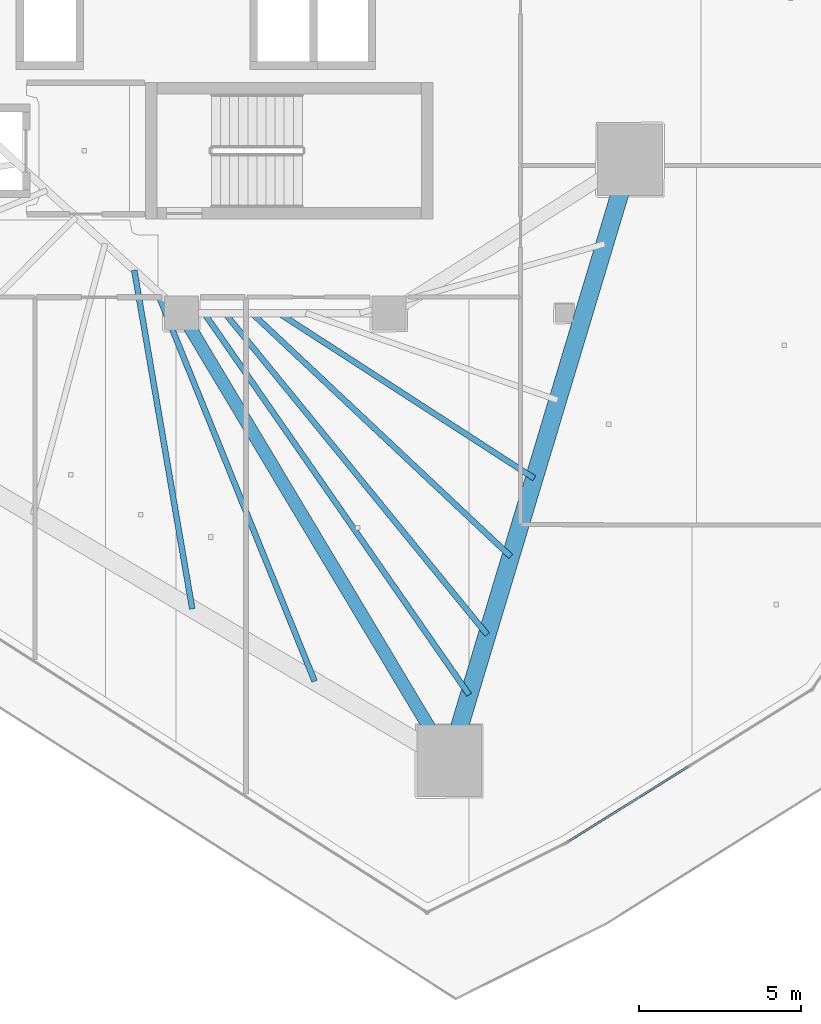
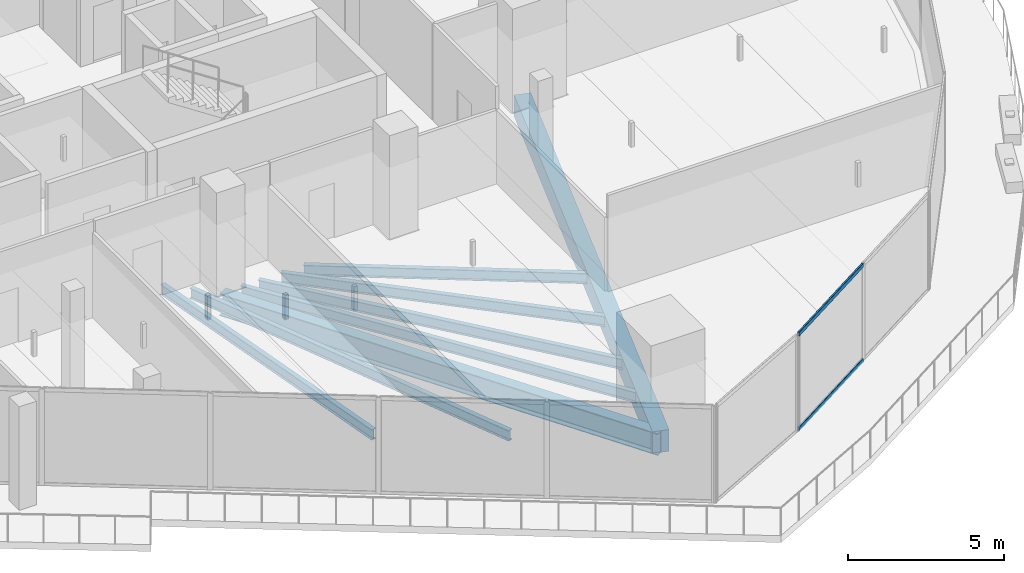
# One storey, part 10 of 39: 8 beams, 2 members, 1 element without a shape of its own.
"""IFC4 building model written with IfcOpenShell, lengths in metres."""

from ifc_helpers import new_model, si_unit, direction, frame, origin, origin_2d, place, context, subcontext, project, spatial, rectangle, hollow_rectangle, i_section, extrude, material, layer, layer_set, material_profile, profile_set, type_object, element, aggregate, save


model = new_model("IFC4")

# Units and contexts
model_context = context("Model", 3, precision=1e-05, world=origin(), true_north=direction((0.0, 1.0)))
body_context = subcontext(model_context, "Body", "Model", "MODEL_VIEW")
ifc_project = project(units=[si_unit("LENGTHUNIT", "METRE"), si_unit("AREAUNIT", "SQUARE_METRE"), si_unit("VOLUMEUNIT", "CUBIC_METRE"), si_unit("PLANEANGLEUNIT", "RADIAN"), si_unit("MASSUNIT", "GRAM", prefix="KILO")], contexts=[model_context])

# Site, building, storey
site_placement = place(None, origin())
site = spatial("IfcSite", under=ifc_project, at=site_placement, CompositionType="ELEMENT")
building_placement = place(site_placement, origin())
building = spatial("IfcBuilding", under=site, at=building_placement, Name="Qorvath Tower", CompositionType="ELEMENT")
storey_placement = place(building_placement, frame((0.0, 0.0, 142.199951171875)))
storey = spatial("IfcBuildingStorey", under=building, at=storey_placement, Name="L32", CompositionType="ELEMENT", Elevation=142.199951171875)

# Beams
ifc_material_1 = material(Name="Steel ASTM A992 Grade 50", Category="steel")
ifc_material_profile_1 = material_profile(ifc_material_1, i_section(OverallWidth=0.39892578125, OverallDepth=0.85498046875, WebThickness=0.018310546875, FlangeThickness=0.029296875, FilletRadius=0.02001953125, at=origin_2d()), Name="W33x201")
ifc_profile_set_1 = profile_set([ifc_material_profile_1], Name="Steel ASTM A992 Grade 50")
beam_type_1 = type_object("IfcBeamType", Name="BM-FG2", PredefinedType="BEAM", material=ifc_profile_set_1)
beam_1_placement = place(storey_placement, frame((-23.60009765625, -11.449951171875, -0.697509765625), z_axis=(0.513497213955, -0.85809126045, 0.0), x_axis=(0.85809126045, 0.513497213955, 0.0)))
element("IfcBeam", 1, at=beam_1_placement, inside=storey, type_object=beam_type_1, Name="Radial Floor Girder CC4-MC3 L32", PredefinedType="BEAM", context=body_context, shape_type="SweptSolid", body=[
    extrude(i_section(OverallWidth=0.39892578125, OverallDepth=0.85498046875, WebThickness=0.018310546875, FlangeThickness=0.029296875, FilletRadius=0.02001953125, at=origin_2d()), origin(), (0.0, 0.0, 1.0), 16.07763671875),
])
ifc_material_2 = material(Name="Steel ASTM A992 Grade 50", Category="steel")
ifc_material_profile_2 = material_profile(ifc_material_2, i_section(OverallWidth=0.177978515625, OverallDepth=0.406005859375, WebThickness=0.0078125, FlangeThickness=0.0126953125, FilletRadius=0.010986328125, at=origin_2d()), Name="W16x40")
ifc_profile_set_2 = profile_set([ifc_material_profile_2], Name="Steel ASTM A992 Grade 50")
beam_type_2 = type_object("IfcBeamType", Name="BM-FJ3", PredefinedType="JOIST", material=ifc_profile_set_2)
beam_2_placement = place(storey_placement, frame((-20.592041015625, -11.449951171875, -0.47314453125), z_axis=(0.839630966809, -0.543157288062, 0.0), x_axis=(0.543157288062, 0.839630966809, 0.0)))
element("IfcBeam", 2, at=beam_2_placement, inside=storey, type_object=beam_type_2, Name="Composite Floor Joist SE4 L32", PredefinedType="JOIST", context=body_context, shape_type="SweptSolid", body=[
    extrude(i_section(OverallWidth=0.177978515625, OverallDepth=0.406005859375, WebThickness=0.0078125, FlangeThickness=0.0126953125, FilletRadius=0.010986328125, at=origin_2d()), origin(), (0.0, 0.0, 1.0), 9.370361328125),
])
beam_3_placement = place(storey_placement, frame((-21.424072265625, -11.449951171875, -0.47314453125), z_axis=(0.728572459091, -0.684968737866, 0.0), x_axis=(0.684968737866, 0.728572459091, 0.0)))
element("IfcBeam", 3, at=beam_3_placement, inside=storey, type_object=beam_type_2, Name="Composite Floor Joist SE5 L32", PredefinedType="JOIST", context=body_context, shape_type="SweptSolid", body=[
    extrude(i_section(OverallWidth=0.177978515625, OverallDepth=0.406005859375, WebThickness=0.0078125, FlangeThickness=0.0126953125, FilletRadius=0.010986328125, at=origin_2d()), origin(), (0.0, 0.0, 1.0), 10.9462890625),
])
beam_4_placement = place(storey_placement, frame((-22.256103515625, -11.449951171875, -0.47314453125), z_axis=(0.632187975212, -0.774815051478, 0.0), x_axis=(0.774815051478, 0.632187975212, 0.0)))
element("IfcBeam", 4, at=beam_4_placement, inside=storey, type_object=beam_type_2, Name="Composite Floor Joist SE6 L32", PredefinedType="JOIST", context=body_context, shape_type="SweptSolid", body=[
    extrude(i_section(OverallWidth=0.177978515625, OverallDepth=0.406005859375, WebThickness=0.0078125, FlangeThickness=0.0126953125, FilletRadius=0.010986328125, at=origin_2d()), origin(), (0.0, 0.0, 1.0), 12.784912109375),
])
beam_5_placement = place(storey_placement, frame((-22.89599609375, -11.449951171875, -0.47314453125), z_axis=(0.570366725248, -0.821390162304, 0.0), x_axis=(0.821390162304, 0.570366725248, 0.0)))
element("IfcBeam", 5, at=beam_5_placement, inside=storey, type_object=beam_type_2, Name="Composite Floor Joist SE7 L32", PredefinedType="JOIST", context=body_context, shape_type="SweptSolid", body=[
    extrude(i_section(OverallWidth=0.177978515625, OverallDepth=0.406005859375, WebThickness=0.0078125, FlangeThickness=0.0126953125, FilletRadius=0.010986328125, at=origin_2d()), origin(), (0.0, 0.0, 1.0), 14.3154296875),
])
beam_6_placement = place(storey_placement, frame((-25.049072265625, -10.126953125, -0.47314453125), z_axis=(0.168745594245, -0.985659639238, 0.0), x_axis=(0.985659639238, 0.168745594245, 0.0)))
element("IfcBeam", 6, at=beam_6_placement, inside=storey, type_object=beam_type_2, Name="Composite Floor Joist SW6 L32", PredefinedType="JOIST", context=body_context, shape_type="SweptSolid", body=[
    extrude(i_section(OverallWidth=0.177978515625, OverallDepth=0.406005859375, WebThickness=0.0078125, FlangeThickness=0.0126953125, FilletRadius=0.010986328125, at=origin_2d()), origin(), (0.0, 0.0, 1.0), 10.589111328125),
])
beam_7_placement = place(storey_placement, frame((-24.35888671875, -10.757080078125, -0.47314453125), z_axis=(0.37487652097, -0.927074751045, 0.0), x_axis=(0.927074751045, 0.37487652097, 0.0)))
element("IfcBeam", 7, at=beam_7_placement, inside=storey, type_object=beam_type_2, Name="Composite Floor Joist SW7 L32", PredefinedType="JOIST", context=body_context, shape_type="SweptSolid", body=[
    extrude(i_section(OverallWidth=0.177978515625, OverallDepth=0.406005859375, WebThickness=0.0078125, FlangeThickness=0.0126953125, FilletRadius=0.010986328125, at=origin_2d()), origin(), (0.0, 0.0, 1.0), 12.9833984375),
])
ifc_material_3 = material(Name="Concrete C50/60", Category="concrete")
ifc_material_profile_3 = material_profile(ifc_material_3, rectangle(XDim=0.550048828125, YDim=0.85009765625, at=origin_2d()), Name="RCB 850x550")
ifc_profile_set_3 = profile_set([ifc_material_profile_3], Name="Concrete C50/60")
beam_type_3 = type_object("IfcBeamType", Name="BM-RCB2", PredefinedType="SPANDREL", material=ifc_profile_set_3)
beam_8_placement = place(storey_placement, frame((-15.34423828125, -25.24609375, -0.695068359375), z_axis=(0.288133952099, 0.957590113591, 0.0), x_axis=(-0.957590113591, 0.288133952099, 0.0)))
element("IfcBeam", 8, at=beam_8_placement, inside=storey, type_object=beam_type_3, Name="Perimeter Loggia Frame Beam MC3-MC4 L32", PredefinedType="SPANDREL", context=body_context, shape_type="SweptSolid", body=[
    extrude(rectangle(XDim=0.550048828125, YDim=0.85009765625, at=origin_2d()), origin(), (0.0, 0.0, 1.0), 19.344970703125),
])

# Curtain wall, members
ifc_material_4 = material(Name="Anodised aluminium and triple low-E glass", Category="aluminium")
ifc_layer = layer(ifc_material_4, 0.179931640625)
ifc_layer_set = layer_set([ifc_layer], Name="CW-SYS-3")
curtain_wall_type = type_object("IfcCurtainWallType", Name="CW-SYS-3", PredefinedType="NOTDEFINED", material=ifc_layer_set)
curtain_wall_placement = place(storey_placement, origin())
curtain_wall = element("IfcCurtainWall", 9, at=curtain_wall_placement, inside=storey, type_object=curtain_wall_type, Name="Curtain Wall CW-3 CW-T-L32-4.1", PredefinedType="NOTDEFINED")
ifc_material_5 = material(Name="Anodised aluminium 6063-T6", Category="aluminium")
ifc_material_profile_4 = material_profile(ifc_material_5, hollow_rectangle(XDim=0.06494140625, YDim=0.159912109375, WallThickness=0.00341796875, InnerFilletRadius=0.00341796875, OuterFilletRadius=0.007080078125, at=origin_2d()), Name="CWT 160x65")
ifc_profile_set_4 = profile_set([ifc_material_profile_4], Name="Anodised aluminium 6063-T6")
member_type = type_object("IfcMemberType", Name="CWT-160", PredefinedType="USERDEFINED", material=ifc_profile_set_4)
member_1_placement = place(storey_placement, frame((-11.69873046875, -27.745361328125, 0.032470703125), z_axis=(0.848352128257, 0.529432400294, 0.0), x_axis=(-0.529432400294, 0.848352128257, 0.0)))
member_1 = element("IfcMember", 10, at=member_1_placement, type_object=member_type, Name="CW-3 transom 1.1", ObjectType="TRANSOM", PredefinedType="USERDEFINED", context=body_context, shape_type="SweptSolid", body=[
    extrude(hollow_rectangle(XDim=0.06494140625, YDim=0.159912109375, WallThickness=0.00341796875, InnerFilletRadius=0.00341796875, OuterFilletRadius=0.007080078125, at=origin_2d()), origin(), (0.0, 0.0, 1.0), 4.3779296875),
])
member_2_placement = place(storey_placement, frame((-11.69873046875, -27.745361328125, 3.74755859375), z_axis=(0.848352128257, 0.529432400294, 0.0), x_axis=(-0.529432400294, 0.848352128257, 0.0)))
member_2 = element("IfcMember", 11, at=member_2_placement, type_object=member_type, Name="CW-3 transom 1.2", ObjectType="TRANSOM", PredefinedType="USERDEFINED", context=body_context, shape_type="SweptSolid", body=[
    extrude(hollow_rectangle(XDim=0.06494140625, YDim=0.159912109375, WallThickness=0.00341796875, InnerFilletRadius=0.00341796875, OuterFilletRadius=0.007080078125, at=origin_2d()), origin(), (0.0, 0.0, 1.0), 4.3779296875),
])
aggregate(curtain_wall, [member_1, member_2])

save(model, "model.ifc")
